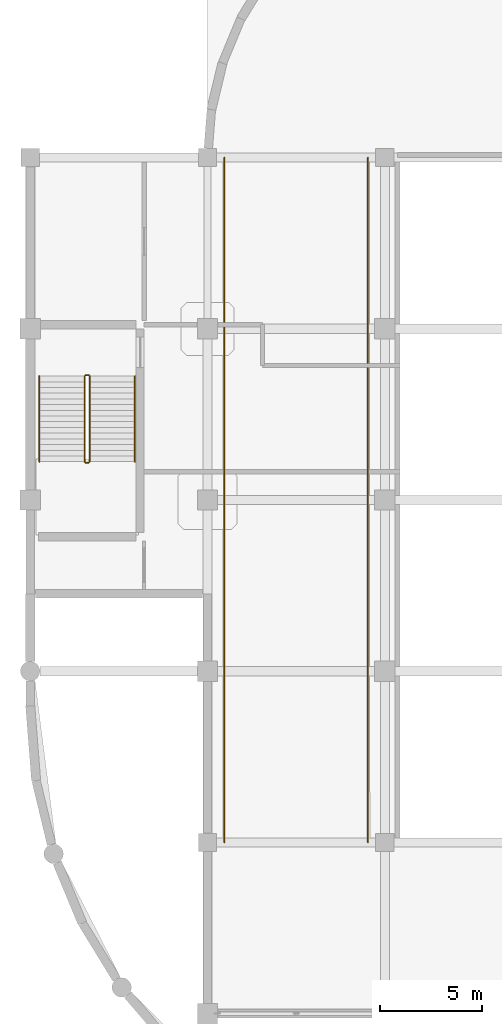
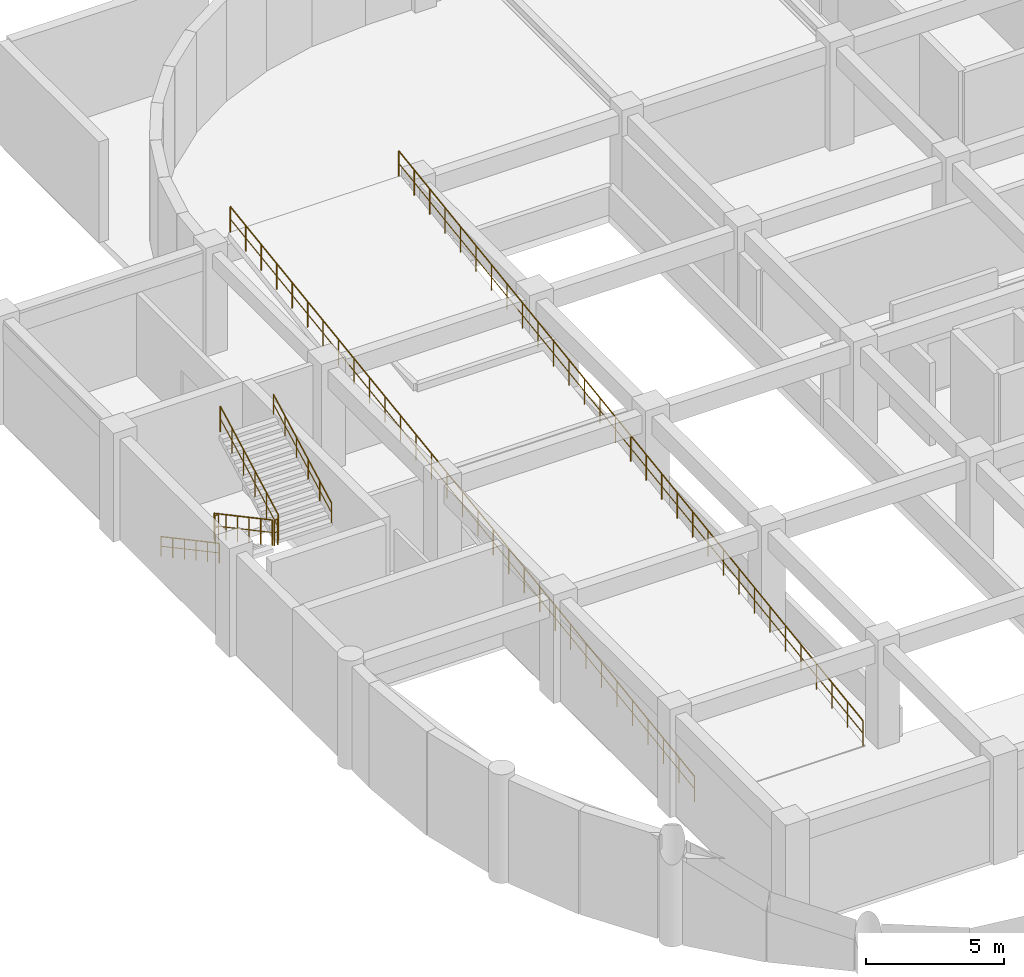
# One storey, part 17 of 19: 8 railings.
"""IFC4 building model written with IfcOpenShell, lengths in metres."""

from ifc_helpers import new_model, si_unit, derived_unit, direction, frame, origin, origin_2d, place, context, subcontext, project, spatial, circle, extrude, material, type_object, element, save


model = new_model("IFC4")

# Units and contexts
model_context = context("Model", 3, precision=1e-05, world=origin(), true_north=direction((0.0, 1.0)))
body_context = subcontext(model_context, "Body", "Model", "MODEL_VIEW")
ifc_project = project(units=[si_unit("LENGTHUNIT", "METRE"), si_unit("AREAUNIT", "SQUARE_METRE"), si_unit("VOLUMEUNIT", "CUBIC_METRE"), si_unit("PLANEANGLEUNIT", "RADIAN"), si_unit("MASSUNIT", "GRAM", prefix="KILO"), derived_unit("THERMALTRANSMITTANCEUNIT", [(si_unit("MASSUNIT", "GRAM", prefix="KILO"), 1), (si_unit("TIMEUNIT", "SECOND"), -3), (si_unit("THERMODYNAMICTEMPERATUREUNIT", "KELVIN"), -1)])], contexts=[model_context])

# Site, building, storey
site_placement = place(None, origin())
site = spatial("IfcSite", under=ifc_project, at=site_placement, CompositionType="ELEMENT")
building_placement = place(site_placement, origin())
building = spatial("IfcBuilding", under=site, at=building_placement, Name="Qinzheling Arcade Emporium", CompositionType="ELEMENT")
storey_placement = place(building_placement, frame((0.0, 0.0, -4.800048828125)))
storey = spatial("IfcBuildingStorey", under=building, at=storey_placement, Name="B1", CompositionType="ELEMENT", Elevation=-4.800048828125)

# Railings
ifc_material_1 = material(Name="Galvanised powder-coated tubular steel", Category="steel")
railing_type_1 = type_object("IfcRailingType", Name="Painted Steel Stairwell Guard Railing 1150", PredefinedType="GUARDRAIL", material=ifc_material_1)
railing_1_placement = place(storey_placement, frame((2.669921875, 39.679931640625, 0.150146484375)))
element("IfcRailing", 1, at=railing_1_placement, inside=storey, type_object=railing_type_1, Name="B1 ST02 stair guard 1", PredefinedType="GUARDRAIL", context=body_context, shape_type="SweptSolid", body=[
    extrude(circle(Radius=0.02392578125, at=origin_2d()), frame((0.0, 0.0, 1.1259765625), z_axis=(0.0, -0.881477684796, 0.472225678258), x_axis=(1.0, 0.0, 0.0)), (0.0, 0.0, 1.0), 4.7646484375),
    extrude(circle(Radius=0.01611328125, at=origin_2d()), frame((0.0, 0.0, 0.574951171875), z_axis=(0.0, -0.881477684796, 0.472225678258), x_axis=(1.0, 0.0, 0.0)), (0.0, 0.0, 1.0), 4.7646484375),
    extrude(circle(Radius=0.02099609375, at=origin_2d()), origin(), (0.0, 0.0, 1.0), 1.101806640625),
    extrude(circle(Radius=0.02099609375, at=origin_2d()), frame((0.0, -0.840087890625, 0.449951171875)), (0.0, 0.0, 1.0), 1.101806640625),
    extrude(circle(Radius=0.02099609375, at=origin_2d()), frame((0.0, -1.679931640625, 0.89990234375)), (0.0, 0.0, 1.0), 1.101806640625),
    extrude(circle(Radius=0.02099609375, at=origin_2d()), frame((0.0, -2.52001953125, 1.35009765625)), (0.0, 0.0, 1.0), 1.101806640625),
    extrude(circle(Radius=0.02099609375, at=origin_2d()), frame((0.0, -3.35986328125, 1.800048828125)), (0.0, 0.0, 1.0), 1.101806640625),
    extrude(circle(Radius=0.02099609375, at=origin_2d()), frame((0.0, -4.199951171875, 2.25)), (0.0, 0.0, 1.0), 1.101806640625),
])
railing_2_placement = place(storey_placement, frame((2.719970703125, 35.429931640625, 2.400146484375)))
element("IfcRailing", 2, at=railing_2_placement, inside=storey, type_object=railing_type_1, Name="B1 ST02 stair guard 2", PredefinedType="GUARDRAIL", context=body_context, shape_type="SweptSolid", body=[
    extrude(circle(Radius=0.02392578125, at=origin_2d()), frame((0.0, 0.0, 1.1259765625), z_axis=(1.0, 0.0, 0.0), x_axis=(0.0, 1.0, 0.0)), (0.0, 0.0, 1.0), 0.150146484375),
    extrude(circle(Radius=0.01611328125, at=origin_2d()), frame((0.0, 0.0, 0.574951171875), z_axis=(1.0, 0.0, 0.0), x_axis=(0.0, 1.0, 0.0)), (0.0, 0.0, 1.0), 0.150146484375),
    extrude(circle(Radius=0.02099609375, at=origin_2d()), origin(), (0.0, 0.0, 1.0), 1.101806640625),
    extrude(circle(Radius=0.02099609375, at=origin_2d()), frame((0.150146484375, 0.0, 0.0)), (0.0, 0.0, 1.0), 1.101806640625),
])
railing_3_placement = place(storey_placement, frame((2.919921875, 35.47998046875, 2.550048828125)))
element("IfcRailing", 3, at=railing_3_placement, inside=storey, type_object=railing_type_1, Name="B1 ST02 stair guard 3", PredefinedType="GUARDRAIL", context=body_context, shape_type="SweptSolid", body=[
    extrude(circle(Radius=0.02392578125, at=origin_2d()), frame((0.0, 0.0, 1.1259765625), z_axis=(0.0, 0.881477684796, 0.472225678258), x_axis=(-1.0, 0.0, 0.0)), (0.0, 0.0, 1.0), 4.7646484375),
    extrude(circle(Radius=0.01611328125, at=origin_2d()), frame((0.0, 0.0, 0.574951171875), z_axis=(0.0, 0.881477684796, 0.472225678258), x_axis=(-1.0, 0.0, 0.0)), (0.0, 0.0, 1.0), 4.7646484375),
    extrude(circle(Radius=0.02099609375, at=origin_2d()), origin(), (0.0, 0.0, 1.0), 1.101806640625),
    extrude(circle(Radius=0.02099609375, at=origin_2d()), frame((0.0, 0.840087890625, 0.449951171875)), (0.0, 0.0, 1.0), 1.101806640625),
    extrude(circle(Radius=0.02099609375, at=origin_2d()), frame((0.0, 1.679931640625, 0.89990234375)), (0.0, 0.0, 1.0), 1.101806640625),
    extrude(circle(Radius=0.02099609375, at=origin_2d()), frame((0.0, 2.52001953125, 1.35009765625)), (0.0, 0.0, 1.0), 1.101806640625),
    extrude(circle(Radius=0.02099609375, at=origin_2d()), frame((0.0, 3.35986328125, 1.800048828125)), (0.0, 0.0, 1.0), 1.101806640625),
    extrude(circle(Radius=0.02099609375, at=origin_2d()), frame((0.0, 4.199951171875, 2.25)), (0.0, 0.0, 1.0), 1.101806640625),
])
railing_4_placement = place(storey_placement, frame((2.719970703125, 39.72998046875, 0.0)))
element("IfcRailing", 4, at=railing_4_placement, inside=storey, type_object=railing_type_1, Name="B1 ST02 stair guard 4", PredefinedType="GUARDRAIL", context=body_context, shape_type="SweptSolid", body=[
    extrude(circle(Radius=0.02392578125, at=origin_2d()), frame((0.0, 0.0, 1.1259765625), z_axis=(1.0, 0.0, 0.0), x_axis=(0.0, 1.0, 0.0)), (0.0, 0.0, 1.0), 0.150146484375),
    extrude(circle(Radius=0.01611328125, at=origin_2d()), frame((0.0, 0.0, 0.574951171875), z_axis=(1.0, 0.0, 0.0), x_axis=(0.0, 1.0, 0.0)), (0.0, 0.0, 1.0), 0.150146484375),
    extrude(circle(Radius=0.02099609375, at=origin_2d()), origin(), (0.0, 0.0, 1.0), 1.101806640625),
    extrude(circle(Radius=0.02099609375, at=origin_2d()), frame((0.150146484375, 0.0, 0.0)), (0.0, 0.0, 1.0), 1.101806640625),
])
railing_5_placement = place(storey_placement, frame((9.530029296875, 16.800048828125, 0.0)))
element("IfcRailing", 5, at=railing_5_placement, inside=storey, type_object=railing_type_1, Name="Vehicle Ramp Guard RAMP-VR1 W", PredefinedType="GUARDRAIL", context=body_context, shape_type="SweptSolid", body=[
    extrude(circle(Radius=0.02392578125, at=origin_2d()), frame((0.0, 0.0, 1.1259765625), z_axis=(0.0, 0.989949205935, 0.141423370303), x_axis=(-1.0, 0.0, 0.0)), (0.0, 0.0, 1.0), 33.94091796875),
    extrude(circle(Radius=0.01611328125, at=origin_2d()), frame((0.0, 0.0, 0.574951171875), z_axis=(0.0, 0.989949205935, 0.141423370303), x_axis=(-1.0, 0.0, 0.0)), (0.0, 0.0, 1.0), 33.94091796875),
    extrude(circle(Radius=0.02099609375, at=origin_2d()), origin(), (0.0, 0.0, 1.0), 1.101806640625),
    extrude(circle(Radius=0.02099609375, at=origin_2d()), frame((0.0, 1.1201171875, 0.159912109375)), (0.0, 0.0, 1.0), 1.101806640625),
    extrude(circle(Radius=0.02099609375, at=origin_2d()), frame((0.0, 2.239990234375, 0.320068359375)), (0.0, 0.0, 1.0), 1.101806640625),
    extrude(circle(Radius=0.02099609375, at=origin_2d()), frame((0.0, 3.35986328125, 0.47998046875)), (0.0, 0.0, 1.0), 1.101806640625),
    extrude(circle(Radius=0.02099609375, at=origin_2d()), frame((0.0, 4.47998046875, 0.639892578125)), (0.0, 0.0, 1.0), 1.101806640625),
    extrude(circle(Radius=0.02099609375, at=origin_2d()), frame((0.0, 5.60009765625, 0.800048828125)), (0.0, 0.0, 1.0), 1.101806640625),
    extrude(circle(Radius=0.02099609375, at=origin_2d()), frame((0.0, 6.719970703125, 0.9599609375)), (0.0, 0.0, 1.0), 1.101806640625),
    extrude(circle(Radius=0.02099609375, at=origin_2d()), frame((0.0, 7.83984375, 1.1201171875)), (0.0, 0.0, 1.0), 1.101806640625),
    extrude(circle(Radius=0.02099609375, at=origin_2d()), frame((0.0, 8.9599609375, 1.280029296875)), (0.0, 0.0, 1.0), 1.101806640625),
    extrude(circle(Radius=0.02099609375, at=origin_2d()), frame((0.0, 10.080078125, 1.43994140625)), (0.0, 0.0, 1.0), 1.101806640625),
    extrude(circle(Radius=0.02099609375, at=origin_2d()), frame((0.0, 11.199951171875, 1.60009765625)), (0.0, 0.0, 1.0), 1.101806640625),
    extrude(circle(Radius=0.02099609375, at=origin_2d()), frame((0.0, 12.31982421875, 1.760009765625)), (0.0, 0.0, 1.0), 1.101806640625),
    extrude(circle(Radius=0.02099609375, at=origin_2d()), frame((0.0, 13.43994140625, 1.919921875)), (0.0, 0.0, 1.0), 1.101806640625),
    extrude(circle(Radius=0.02099609375, at=origin_2d()), frame((0.0, 14.56005859375, 2.080078125)), (0.0, 0.0, 1.0), 1.101806640625),
    extrude(circle(Radius=0.02099609375, at=origin_2d()), frame((0.0, 15.679931640625, 2.239990234375)), (0.0, 0.0, 1.0), 1.101806640625),
    extrude(circle(Radius=0.02099609375, at=origin_2d()), frame((0.0, 16.7998046875, 2.39990234375)), (0.0, 0.0, 1.0), 1.101806640625),
    extrude(circle(Radius=0.02099609375, at=origin_2d()), frame((0.0, 17.919921875, 2.56005859375)), (0.0, 0.0, 1.0), 1.101806640625),
    extrude(circle(Radius=0.02099609375, at=origin_2d()), frame((0.0, 19.0400390625, 2.719970703125)), (0.0, 0.0, 1.0), 1.101806640625),
    extrude(circle(Radius=0.02099609375, at=origin_2d()), frame((0.0, 20.159912109375, 2.880126953125)), (0.0, 0.0, 1.0), 1.101806640625),
    extrude(circle(Radius=0.02099609375, at=origin_2d()), frame((0.0, 21.27978515625, 3.0400390625)), (0.0, 0.0, 1.0), 1.101806640625),
    extrude(circle(Radius=0.02099609375, at=origin_2d()), frame((0.0, 22.39990234375, 3.199951171875)), (0.0, 0.0, 1.0), 1.101806640625),
    extrude(circle(Radius=0.02099609375, at=origin_2d()), frame((0.0, 23.52001953125, 3.360107421875)), (0.0, 0.0, 1.0), 1.101806640625),
    extrude(circle(Radius=0.02099609375, at=origin_2d()), frame((0.0, 24.639892578125, 3.52001953125)), (0.0, 0.0, 1.0), 1.101806640625),
    extrude(circle(Radius=0.02099609375, at=origin_2d()), frame((0.0, 25.759765625, 3.679931640625)), (0.0, 0.0, 1.0), 1.101806640625),
    extrude(circle(Radius=0.02099609375, at=origin_2d()), frame((0.0, 26.8798828125, 3.840087890625)), (0.0, 0.0, 1.0), 1.101806640625),
    extrude(circle(Radius=0.02099609375, at=origin_2d()), frame((0.0, 28.0, 4.0)), (0.0, 0.0, 1.0), 1.101806640625),
    extrude(circle(Radius=0.02099609375, at=origin_2d()), frame((0.0, 29.119873046875, 4.16015625)), (0.0, 0.0, 1.0), 1.101806640625),
    extrude(circle(Radius=0.02099609375, at=origin_2d()), frame((0.0, 30.23974609375, 4.320068359375)), (0.0, 0.0, 1.0), 1.101806640625),
    extrude(circle(Radius=0.02099609375, at=origin_2d()), frame((0.0, 31.35986328125, 4.47998046875)), (0.0, 0.0, 1.0), 1.101806640625),
    extrude(circle(Radius=0.02099609375, at=origin_2d()), frame((0.0, 32.47998046875, 4.64013671875)), (0.0, 0.0, 1.0), 1.101806640625),
    extrude(circle(Radius=0.02099609375, at=origin_2d()), frame((0.0, 33.599853515625, 4.800048828125)), (0.0, 0.0, 1.0), 1.101806640625),
])
railing_6_placement = place(storey_placement, frame((16.570068359375, 16.800048828125, 0.0)))
element("IfcRailing", 6, at=railing_6_placement, inside=storey, type_object=railing_type_1, Name="Vehicle Ramp Guard RAMP-VR1 E", PredefinedType="GUARDRAIL", context=body_context, shape_type="SweptSolid", body=[
    extrude(circle(Radius=0.02392578125, at=origin_2d()), frame((0.0, 0.0, 1.1259765625), z_axis=(0.0, 0.989949205935, 0.141423370303), x_axis=(-1.0, 0.0, 0.0)), (0.0, 0.0, 1.0), 33.94091796875),
    extrude(circle(Radius=0.01611328125, at=origin_2d()), frame((0.0, 0.0, 0.574951171875), z_axis=(0.0, 0.989949205935, 0.141423370303), x_axis=(-1.0, 0.0, 0.0)), (0.0, 0.0, 1.0), 33.94091796875),
    extrude(circle(Radius=0.02099609375, at=origin_2d()), origin(), (0.0, 0.0, 1.0), 1.101806640625),
    extrude(circle(Radius=0.02099609375, at=origin_2d()), frame((0.0, 1.1201171875, 0.159912109375)), (0.0, 0.0, 1.0), 1.101806640625),
    extrude(circle(Radius=0.02099609375, at=origin_2d()), frame((0.0, 2.239990234375, 0.320068359375)), (0.0, 0.0, 1.0), 1.101806640625),
    extrude(circle(Radius=0.02099609375, at=origin_2d()), frame((0.0, 3.35986328125, 0.47998046875)), (0.0, 0.0, 1.0), 1.101806640625),
    extrude(circle(Radius=0.02099609375, at=origin_2d()), frame((0.0, 4.47998046875, 0.639892578125)), (0.0, 0.0, 1.0), 1.101806640625),
    extrude(circle(Radius=0.02099609375, at=origin_2d()), frame((0.0, 5.60009765625, 0.800048828125)), (0.0, 0.0, 1.0), 1.101806640625),
    extrude(circle(Radius=0.02099609375, at=origin_2d()), frame((0.0, 6.719970703125, 0.9599609375)), (0.0, 0.0, 1.0), 1.101806640625),
    extrude(circle(Radius=0.02099609375, at=origin_2d()), frame((0.0, 7.83984375, 1.1201171875)), (0.0, 0.0, 1.0), 1.101806640625),
    extrude(circle(Radius=0.02099609375, at=origin_2d()), frame((0.0, 8.9599609375, 1.280029296875)), (0.0, 0.0, 1.0), 1.101806640625),
    extrude(circle(Radius=0.02099609375, at=origin_2d()), frame((0.0, 10.080078125, 1.43994140625)), (0.0, 0.0, 1.0), 1.101806640625),
    extrude(circle(Radius=0.02099609375, at=origin_2d()), frame((0.0, 11.199951171875, 1.60009765625)), (0.0, 0.0, 1.0), 1.101806640625),
    extrude(circle(Radius=0.02099609375, at=origin_2d()), frame((0.0, 12.31982421875, 1.760009765625)), (0.0, 0.0, 1.0), 1.101806640625),
    extrude(circle(Radius=0.02099609375, at=origin_2d()), frame((0.0, 13.43994140625, 1.919921875)), (0.0, 0.0, 1.0), 1.101806640625),
    extrude(circle(Radius=0.02099609375, at=origin_2d()), frame((0.0, 14.56005859375, 2.080078125)), (0.0, 0.0, 1.0), 1.101806640625),
    extrude(circle(Radius=0.02099609375, at=origin_2d()), frame((0.0, 15.679931640625, 2.239990234375)), (0.0, 0.0, 1.0), 1.101806640625),
    extrude(circle(Radius=0.02099609375, at=origin_2d()), frame((0.0, 16.7998046875, 2.39990234375)), (0.0, 0.0, 1.0), 1.101806640625),
    extrude(circle(Radius=0.02099609375, at=origin_2d()), frame((0.0, 17.919921875, 2.56005859375)), (0.0, 0.0, 1.0), 1.101806640625),
    extrude(circle(Radius=0.02099609375, at=origin_2d()), frame((0.0, 19.0400390625, 2.719970703125)), (0.0, 0.0, 1.0), 1.101806640625),
    extrude(circle(Radius=0.02099609375, at=origin_2d()), frame((0.0, 20.159912109375, 2.880126953125)), (0.0, 0.0, 1.0), 1.101806640625),
    extrude(circle(Radius=0.02099609375, at=origin_2d()), frame((0.0, 21.27978515625, 3.0400390625)), (0.0, 0.0, 1.0), 1.101806640625),
    extrude(circle(Radius=0.02099609375, at=origin_2d()), frame((0.0, 22.39990234375, 3.199951171875)), (0.0, 0.0, 1.0), 1.101806640625),
    extrude(circle(Radius=0.02099609375, at=origin_2d()), frame((0.0, 23.52001953125, 3.360107421875)), (0.0, 0.0, 1.0), 1.101806640625),
    extrude(circle(Radius=0.02099609375, at=origin_2d()), frame((0.0, 24.639892578125, 3.52001953125)), (0.0, 0.0, 1.0), 1.101806640625),
    extrude(circle(Radius=0.02099609375, at=origin_2d()), frame((0.0, 25.759765625, 3.679931640625)), (0.0, 0.0, 1.0), 1.101806640625),
    extrude(circle(Radius=0.02099609375, at=origin_2d()), frame((0.0, 26.8798828125, 3.840087890625)), (0.0, 0.0, 1.0), 1.101806640625),
    extrude(circle(Radius=0.02099609375, at=origin_2d()), frame((0.0, 28.0, 4.0)), (0.0, 0.0, 1.0), 1.101806640625),
    extrude(circle(Radius=0.02099609375, at=origin_2d()), frame((0.0, 29.119873046875, 4.16015625)), (0.0, 0.0, 1.0), 1.101806640625),
    extrude(circle(Radius=0.02099609375, at=origin_2d()), frame((0.0, 30.23974609375, 4.320068359375)), (0.0, 0.0, 1.0), 1.101806640625),
    extrude(circle(Radius=0.02099609375, at=origin_2d()), frame((0.0, 31.35986328125, 4.47998046875)), (0.0, 0.0, 1.0), 1.101806640625),
    extrude(circle(Radius=0.02099609375, at=origin_2d()), frame((0.0, 32.47998046875, 4.64013671875)), (0.0, 0.0, 1.0), 1.101806640625),
    extrude(circle(Radius=0.02099609375, at=origin_2d()), frame((0.0, 33.599853515625, 4.800048828125)), (0.0, 0.0, 1.0), 1.101806640625),
])
ifc_material_2 = material(Name="Brushed stainless steel 304", Category="steel")
railing_type_2 = type_object("IfcRailingType", Name="Stainless Steel Wall Handrail 900", PredefinedType="HANDRAIL", material=ifc_material_2)
railing_7_placement = place(storey_placement, frame((0.449951171875, 39.679931640625, 0.150146484375)))
element("IfcRailing", 7, at=railing_7_placement, inside=storey, type_object=railing_type_2, Name="B1 ST02 stair handrail 1", PredefinedType="HANDRAIL", context=body_context, shape_type="SweptSolid", body=[
    extrude(circle(Radius=0.02392578125, at=origin_2d()), frame((0.0, 0.0, 0.8759765625), z_axis=(0.0, -0.881477684796, 0.472225678258), x_axis=(1.0, 0.0, 0.0)), (0.0, 0.0, 1.0), 4.7646484375),
    extrude(circle(Radius=0.01611328125, at=origin_2d()), frame((0.0, 0.0, 0.449951171875), z_axis=(0.0, -0.881477684796, 0.472225678258), x_axis=(1.0, 0.0, 0.0)), (0.0, 0.0, 1.0), 4.7646484375),
    extrude(circle(Radius=0.02099609375, at=origin_2d()), origin(), (0.0, 0.0, 1.0), 0.851806640625),
    extrude(circle(Radius=0.02099609375, at=origin_2d()), frame((0.0, -0.840087890625, 0.449951171875)), (0.0, 0.0, 1.0), 0.851806640625),
    extrude(circle(Radius=0.02099609375, at=origin_2d()), frame((0.0, -1.679931640625, 0.89990234375)), (0.0, 0.0, 1.0), 0.851806640625),
    extrude(circle(Radius=0.02099609375, at=origin_2d()), frame((0.0, -2.52001953125, 1.35009765625)), (0.0, 0.0, 1.0), 0.851806640625),
    extrude(circle(Radius=0.02099609375, at=origin_2d()), frame((0.0, -3.35986328125, 1.800048828125)), (0.0, 0.0, 1.0), 0.851806640625),
    extrude(circle(Radius=0.02099609375, at=origin_2d()), frame((0.0, -4.199951171875, 2.25)), (0.0, 0.0, 1.0), 0.851806640625),
])
railing_8_placement = place(storey_placement, frame((5.139892578125, 35.47998046875, 2.550048828125)))
element("IfcRailing", 8, at=railing_8_placement, inside=storey, type_object=railing_type_2, Name="B1 ST02 stair handrail 2", PredefinedType="HANDRAIL", context=body_context, shape_type="SweptSolid", body=[
    extrude(circle(Radius=0.02392578125, at=origin_2d()), frame((0.0, 0.0, 0.8759765625), z_axis=(0.0, 0.881477684796, 0.472225678258), x_axis=(-1.0, 0.0, 0.0)), (0.0, 0.0, 1.0), 4.7646484375),
    extrude(circle(Radius=0.01611328125, at=origin_2d()), frame((0.0, 0.0, 0.449951171875), z_axis=(0.0, 0.881477684796, 0.472225678258), x_axis=(-1.0, 0.0, 0.0)), (0.0, 0.0, 1.0), 4.7646484375),
    extrude(circle(Radius=0.02099609375, at=origin_2d()), origin(), (0.0, 0.0, 1.0), 0.851806640625),
    extrude(circle(Radius=0.02099609375, at=origin_2d()), frame((0.0, 0.840087890625, 0.449951171875)), (0.0, 0.0, 1.0), 0.851806640625),
    extrude(circle(Radius=0.02099609375, at=origin_2d()), frame((0.0, 1.679931640625, 0.89990234375)), (0.0, 0.0, 1.0), 0.851806640625),
    extrude(circle(Radius=0.02099609375, at=origin_2d()), frame((0.0, 2.52001953125, 1.35009765625)), (0.0, 0.0, 1.0), 0.851806640625),
    extrude(circle(Radius=0.02099609375, at=origin_2d()), frame((0.0, 3.35986328125, 1.800048828125)), (0.0, 0.0, 1.0), 0.851806640625),
    extrude(circle(Radius=0.02099609375, at=origin_2d()), frame((0.0, 4.199951171875, 2.25)), (0.0, 0.0, 1.0), 0.851806640625),
])

save(model, "model.ifc")
